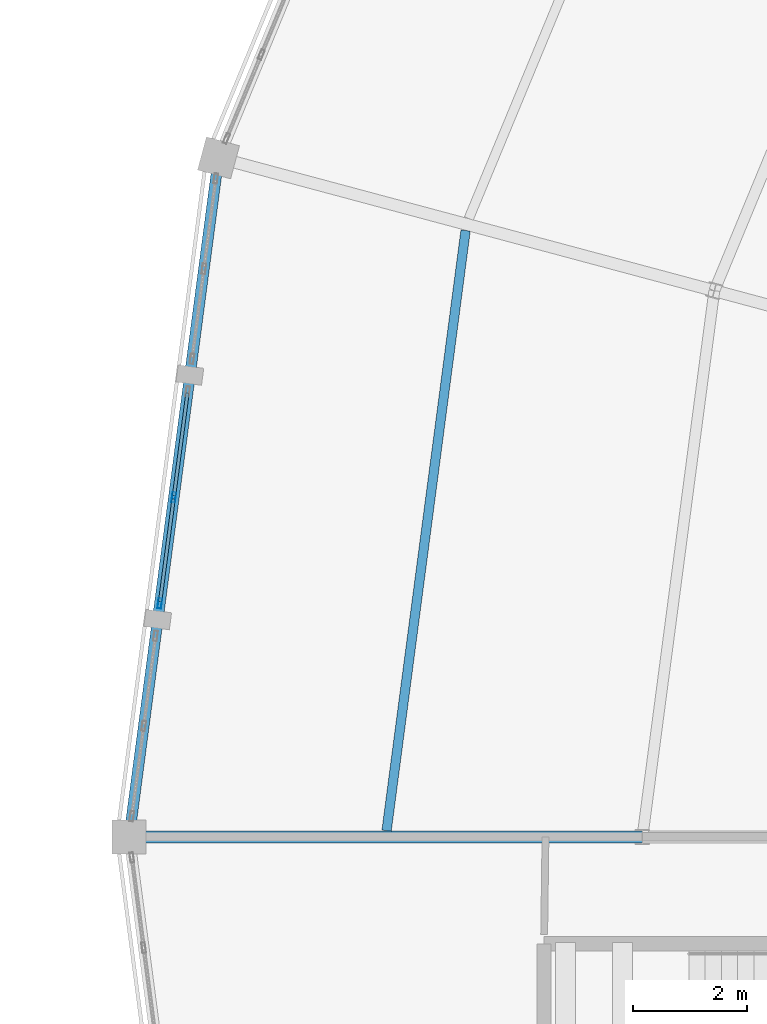
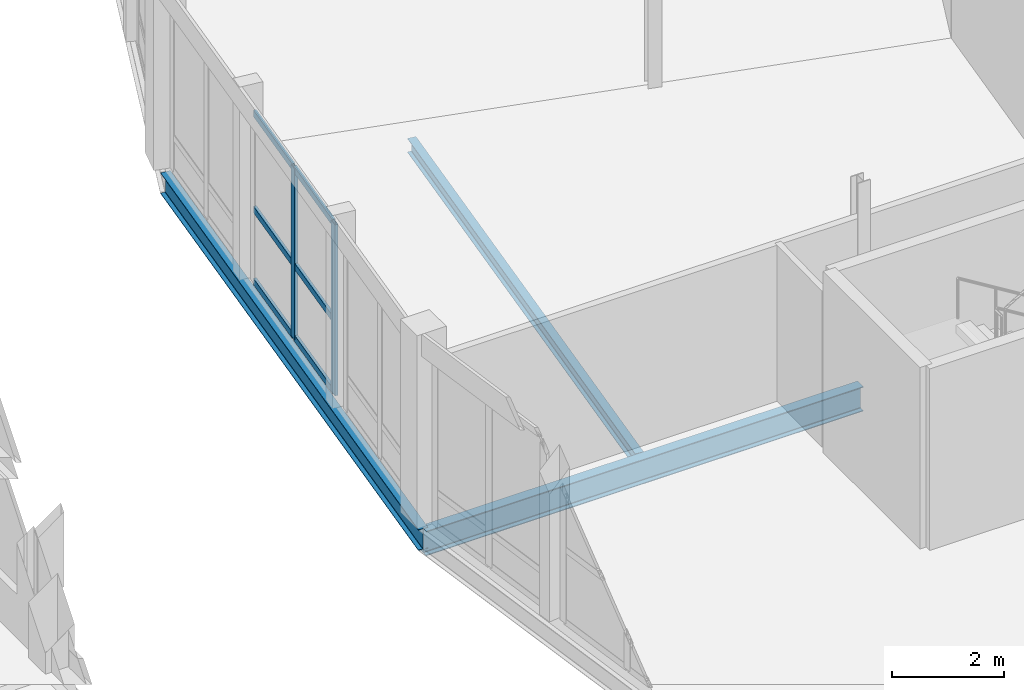
# One storey, part 61 of 185: 8 members, 3 beams, 1 element without a shape of its own.
"""IFC4 building model written with IfcOpenShell, lengths in metres."""

from ifc_helpers import new_model, si_unit, direction, frame, origin, origin_2d, place, context, subcontext, project, spatial, hollow_rectangle, i_section, extrude, material, material_profile, profile_set, type_object, element, aggregate, save


model = new_model("IFC4")

# Units and contexts
model_context = context("Model", 3, precision=1e-05, world=origin(), true_north=direction((0.0, 1.0)))
body_context = subcontext(model_context, "Body", "Model", "MODEL_VIEW")
ifc_project = project(units=[si_unit("LENGTHUNIT", "METRE"), si_unit("AREAUNIT", "SQUARE_METRE"), si_unit("VOLUMEUNIT", "CUBIC_METRE"), si_unit("PLANEANGLEUNIT", "RADIAN"), si_unit("MASSUNIT", "GRAM", prefix="KILO")], contexts=[model_context])

# Site, building, storey
site_placement = place(None, origin())
site = spatial("IfcSite", under=ifc_project, at=site_placement, CompositionType="ELEMENT")
building_placement = place(site_placement, origin())
building = spatial("IfcBuilding", under=site, at=building_placement, Name="Vondelvale Polytechnic", CompositionType="ELEMENT")
storey_placement = place(building_placement, frame((0.0, 0.0, 9.60009765625)))
storey = spatial("IfcBuildingStorey", under=building, at=storey_placement, Name="L02", CompositionType="ELEMENT", Elevation=9.60009765625)

# Beams
ifc_material_1 = material(Name="Steel 300PLUS (fy = 300 MPa)", Category="steel")
ifc_material_profile_1 = material_profile(ifc_material_1, i_section(OverallWidth=0.18994140625, OverallDepth=0.45703125, WebThickness=0.009033203125, FlangeThickness=0.014404296875, FilletRadius=0.011474609375, at=origin_2d()), Name="460UB74.6")
ifc_profile_set_1 = profile_set([ifc_material_profile_1], Name="Steel 300PLUS (fy = 300 MPa)")
beam_type_1 = type_object("IfcBeamType", Name="BM-UB460", PredefinedType="BEAM", material=ifc_profile_set_1)
beam_1_placement = place(storey_placement, frame((57.5673828125, 83.90576171875, -0.508544921875), z_axis=(-0.130522880875, -0.991445297315, 0.0), x_axis=(0.991445297315, -0.130522880875, 0.0)))
element("IfcBeam", 1, at=beam_1_placement, inside=storey, type_object=beam_type_1, Name="L02 RB B-13", PredefinedType="BEAM", context=body_context, shape_type="SweptSolid", body=[
    extrude(i_section(OverallWidth=0.18994140625, OverallDepth=0.45703125, WebThickness=0.009033203125, FlangeThickness=0.014404296875, FilletRadius=0.011474609375, at=origin_2d()), origin(), (0.0, 0.0, 1.0), 12.008544921875),
])
ifc_material_profile_2 = material_profile(ifc_material_1, i_section(OverallWidth=0.208984375, OverallDepth=0.532958984375, WebThickness=0.01025390625, FlangeThickness=0.015625, FilletRadius=0.013916015625, at=origin_2d()), Name="530UB92.4")
ifc_profile_set_2 = profile_set([ifc_material_profile_2], Name="Steel 300PLUS (fy = 300 MPa)")
beam_type_2 = type_object("IfcBeamType", Name="BM-UB530", PredefinedType="BEAM", material=ifc_profile_set_2)
beam_2_placement = place(storey_placement, frame((65.0, 72.0, -0.546630859375), z_axis=(-1.0, 0.0, 0.0), x_axis=(0.0, -1.0, 0.0)))
element("IfcBeam", 2, at=beam_2_placement, inside=storey, type_object=beam_type_2, Name="L02 RG B-11", PredefinedType="BEAM", context=body_context, shape_type="SweptSolid", body=[
    extrude(i_section(OverallWidth=0.208984375, OverallDepth=0.532958984375, WebThickness=0.01025390625, FlangeThickness=0.015625, FilletRadius=0.013916015625, at=origin_2d()), origin(), (0.0, 0.0, 1.0), 9.0),
])

# Curtain wall, members
ifc_material_2 = material(Name="Glulam GL18 structural Tasmanian oak (fb = 42 MPa)", Category="wood")
curtain_wall_type = type_object("IfcCurtainWallType", Name="CW-RING-OUTER", PredefinedType="NOTDEFINED", material=ifc_material_2)
curtain_wall_placement = place(storey_placement, origin())
curtain_wall = element("IfcCurtainWall", 3, at=curtain_wall_placement, inside=storey, type_object=curtain_wall_type, Name="L02 architectural curtain wall CW-04-250", PredefinedType="NOTDEFINED")
ifc_material_3 = material(Name="Anodised extruded aluminium 6063-T6", Category="aluminium")
ifc_material_profile_3 = material_profile(ifc_material_3, hollow_rectangle(XDim=0.06494140625, YDim=0.179931640625, WallThickness=0.00390625, at=origin_2d()), Name="CW-MUL-180x65")
ifc_profile_set_3 = profile_set([ifc_material_profile_3], Name="Anodised extruded aluminium 6063-T6")
member_type_1 = type_object("IfcMemberType", Name="CW-MUL-65x180", PredefinedType="MULLION", material=ifc_profile_set_3)
member_1_placement = place(storey_placement, frame((56.78369140625, 77.952880859375, 0.0), z_axis=(0.0, 0.0, 1.0), x_axis=(0.991448671082, -0.130497251349, 0.0)))
member_1 = element("IfcMember", 4, at=member_1_placement, type_object=member_type_1, Name="CW-04-250 mullion 2", PredefinedType="MULLION", context=body_context, shape_type="SweptSolid", body=[
    extrude(hollow_rectangle(XDim=0.06494140625, YDim=0.179931640625, WallThickness=0.00390625, at=origin_2d()), origin(), (0.0, 0.0, 1.0), 3.719970703125),
])
member_2_placement = place(storey_placement, frame((56.5390625, 76.0947265625, 0.0), z_axis=(0.0, 0.0, 1.0), x_axis=(0.991448671082, -0.130497251349, 0.0)))
member_2 = element("IfcMember", 5, at=member_2_placement, type_object=member_type_1, Name="CW-04-250 mullion 3", PredefinedType="MULLION", context=body_context, shape_type="SweptSolid", body=[
    extrude(hollow_rectangle(XDim=0.06494140625, YDim=0.179931640625, WallThickness=0.00390625, at=origin_2d()), origin(), (0.0, 0.0, 1.0), 3.719970703125),
])
ifc_material_profile_4 = material_profile(ifc_material_3, hollow_rectangle(XDim=0.06005859375, YDim=0.139892578125, WallThickness=0.00341796875, at=origin_2d()), Name="CW-TRN-140x60")
ifc_profile_set_4 = profile_set([ifc_material_profile_4], Name="Anodised extruded aluminium 6063-T6")
member_type_2 = type_object("IfcMemberType", Name="CW-TRN-60x140", PredefinedType="USERDEFINED", material=ifc_profile_set_4)
member_3_placement = place(storey_placement, frame((57.02392578125, 79.778564453125, 0.02978515625), z_axis=(-0.130510372288, -0.991446943979, 0.0), x_axis=(0.991446943979, -0.130510372288, 0.0)))
member_3 = element("IfcMember", 6, at=member_3_placement, type_object=member_type_2, Name="CW-04-250 transom 1.1", ObjectType="TRANSOM", PredefinedType="USERDEFINED", context=body_context, shape_type="SweptSolid", body=[
    extrude(hollow_rectangle(XDim=0.06005859375, YDim=0.139892578125, WallThickness=0.00341796875, at=origin_2d()), origin(), (0.0, 0.0, 1.0), 1.808837890625),
])
member_4_placement = place(storey_placement, frame((57.02392578125, 79.778564453125, 1.599853515625), z_axis=(-0.130510372288, -0.991446943979, 0.0), x_axis=(0.991446943979, -0.130510372288, 0.0)))
member_4 = element("IfcMember", 7, at=member_4_placement, type_object=member_type_2, Name="CW-04-250 transom 1.2", ObjectType="TRANSOM", PredefinedType="USERDEFINED", context=body_context, shape_type="SweptSolid", body=[
    extrude(hollow_rectangle(XDim=0.06005859375, YDim=0.139892578125, WallThickness=0.00341796875, at=origin_2d()), origin(), (0.0, 0.0, 1.0), 1.808837890625),
])
member_5_placement = place(storey_placement, frame((57.02392578125, 79.778564453125, 3.68994140625), z_axis=(-0.130510372288, -0.991446943979, 0.0), x_axis=(0.991446943979, -0.130510372288, 0.0)))
member_5 = element("IfcMember", 8, at=member_5_placement, type_object=member_type_2, Name="CW-04-250 transom 1.3", ObjectType="TRANSOM", PredefinedType="USERDEFINED", context=body_context, shape_type="SweptSolid", body=[
    extrude(hollow_rectangle(XDim=0.06005859375, YDim=0.139892578125, WallThickness=0.00341796875, at=origin_2d()), origin(), (0.0, 0.0, 1.0), 1.808837890625),
])
member_6_placement = place(storey_placement, frame((56.779541015625, 77.920654296875, 0.02978515625), z_axis=(-0.130492911033, -0.991449242357, 0.0), x_axis=(0.991449242357, -0.130492911033, 0.0)))
member_6 = element("IfcMember", 9, at=member_6_placement, type_object=member_type_2, Name="CW-04-250 transom 2.1", ObjectType="TRANSOM", PredefinedType="USERDEFINED", context=body_context, shape_type="SweptSolid", body=[
    extrude(hollow_rectangle(XDim=0.06005859375, YDim=0.139892578125, WallThickness=0.00341796875, at=origin_2d()), origin(), (0.0, 0.0, 1.0), 1.80908203125),
])
member_7_placement = place(storey_placement, frame((56.779541015625, 77.920654296875, 1.599853515625), z_axis=(-0.130492911033, -0.991449242357, 0.0), x_axis=(0.991449242357, -0.130492911033, 0.0)))
member_7 = element("IfcMember", 10, at=member_7_placement, type_object=member_type_2, Name="CW-04-250 transom 2.2", ObjectType="TRANSOM", PredefinedType="USERDEFINED", context=body_context, shape_type="SweptSolid", body=[
    extrude(hollow_rectangle(XDim=0.06005859375, YDim=0.139892578125, WallThickness=0.00341796875, at=origin_2d()), origin(), (0.0, 0.0, 1.0), 1.80908203125),
])
member_8_placement = place(storey_placement, frame((56.779541015625, 77.920654296875, 3.68994140625), z_axis=(-0.130492911033, -0.991449242357, 0.0), x_axis=(0.991449242357, -0.130492911033, 0.0)))
member_8 = element("IfcMember", 11, at=member_8_placement, type_object=member_type_2, Name="CW-04-250 transom 2.3", ObjectType="TRANSOM", PredefinedType="USERDEFINED", context=body_context, shape_type="SweptSolid", body=[
    extrude(hollow_rectangle(XDim=0.06005859375, YDim=0.139892578125, WallThickness=0.00341796875, at=origin_2d()), origin(), (0.0, 0.0, 1.0), 1.80908203125),
])
aggregate(curtain_wall, [member_1, member_2, member_3, member_4, member_5, member_6, member_7, member_8])

# Beam
ifc_material_profile_5 = material_profile(ifc_material_1, i_section(OverallWidth=0.1650390625, OverallDepth=0.303955078125, WebThickness=0.006103515625, FlangeThickness=0.01025390625, FilletRadius=0.011474609375, at=origin_2d()), Name="310UB40.4")
ifc_profile_set_5 = profile_set([ifc_material_profile_5], Name="Steel 300PLUS (fy = 300 MPa)")
beam_type_3 = type_object("IfcBeamType", Name="JST-UB310", PredefinedType="JOIST", material=ifc_profile_set_5)
beam_3_placement = place(storey_placement, frame((61.899658203125, 82.6318359375, -0.43212890625), z_axis=(-0.13051818119, -0.991445916013, 0.0), x_axis=(0.991445916013, -0.13051818119, 0.0)))
element("IfcBeam", 12, at=beam_3_placement, inside=storey, type_object=beam_type_3, Name="L02 RJ J-05", PredefinedType="JOIST", context=body_context, shape_type="SweptSolid", body=[
    extrude(i_section(OverallWidth=0.1650390625, OverallDepth=0.303955078125, WebThickness=0.006103515625, FlangeThickness=0.01025390625, FilletRadius=0.011474609375, at=origin_2d()), origin(), (0.0, 0.0, 1.0), 10.613525390625),
])

save(model, "model.ifc")
